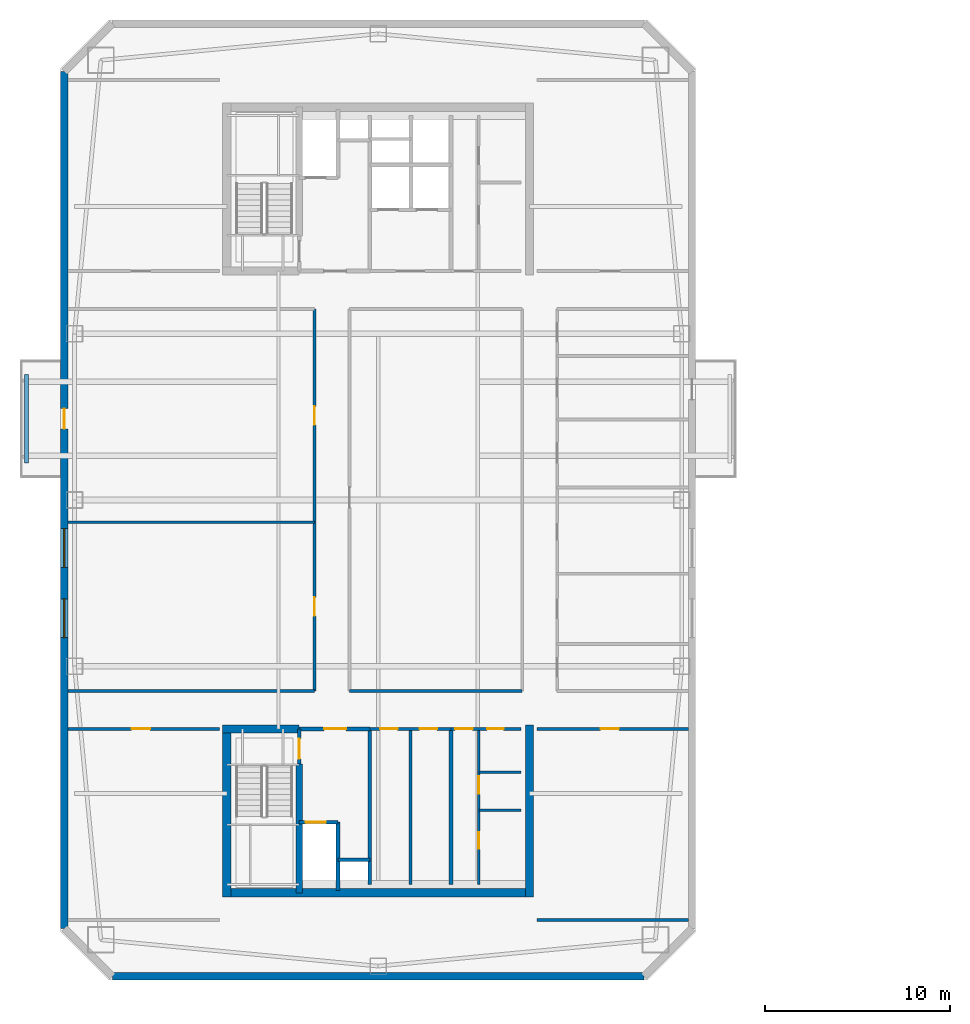
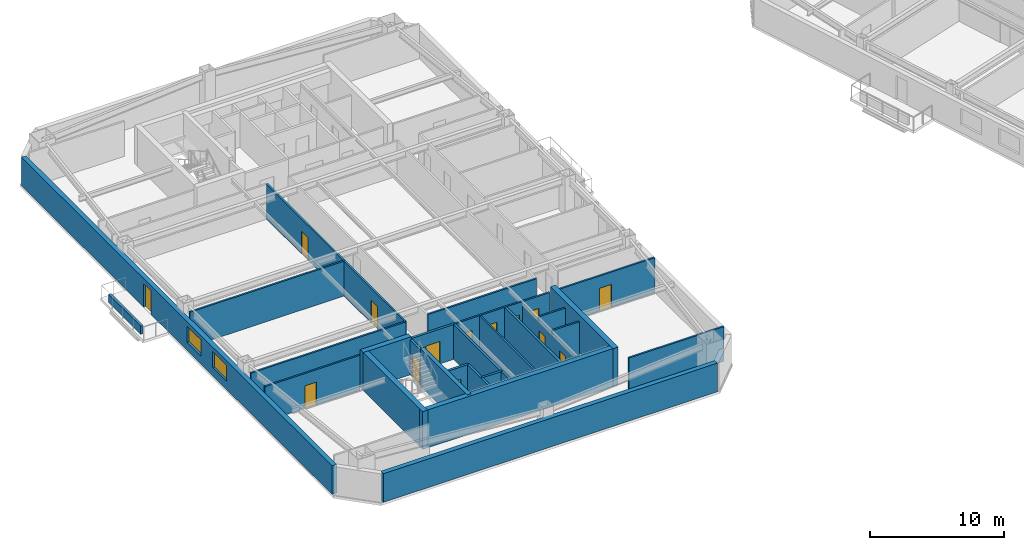
# One storey, part 6 of 16: 28 walls, 14 doors, 2 windows, 16 openings.
"""IFC4 building model written with IfcOpenShell, lengths in metres."""

from ifc_helpers import new_model, si_unit, direction, frame, frame_2d, origin, place, context, subcontext, project, spatial, rectangle, extrude, material, layer, layer_set, type_object, element, fill, save


model = new_model("IFC4")

# Units and contexts
model_context = context("Model", 3, precision=1e-05, world=origin(), true_north=direction((0.0, 1.0)))
body_context = subcontext(model_context, "Body", "Model", "MODEL_VIEW")
ifc_project = project(units=[si_unit("LENGTHUNIT", "METRE"), si_unit("AREAUNIT", "SQUARE_METRE"), si_unit("VOLUMEUNIT", "CUBIC_METRE"), si_unit("PLANEANGLEUNIT", "RADIAN"), si_unit("MASSUNIT", "GRAM", prefix="KILO")], contexts=[model_context])

# Site, building, storey
site_placement = place(None, origin())
site = spatial("IfcSite", under=ifc_project, at=site_placement, CompositionType="ELEMENT")
building_placement = place(site_placement, origin())
building = spatial("IfcBuilding", under=site, at=building_placement, Name="Qiaolan Cultural Towers", CompositionType="ELEMENT")
storey_placement = place(building_placement, frame((0.0, 0.0, 198.949951171875)))
storey = spatial("IfcBuildingStorey", under=building, at=storey_placement, Name="L53", CompositionType="ELEMENT", Elevation=198.949951171875)

# Walls
ifc_material_1 = material(Name="Concrete C50", Category="concrete")
ifc_layer_1 = layer(ifc_material_1, 0.35009765625)
ifc_layer_set_1 = layer_set([ifc_layer_1], Name="Concrete C50")
wall_type_1 = type_object("IfcWallType", Name="WL-CORE-350", PredefinedType="SHEAR", material=ifc_layer_set_1)
wall_1_placement = place(storey_placement, frame((25.719970703125, 19.699951171875, 0.0), z_axis=(0.0, 0.0, 1.0), x_axis=(0.0, -1.0, 0.0)))
element("IfcWall", 1, at=wall_1_placement, inside=storey, type_object=wall_type_1, Name="L53 T1-CS Stair Core Dividing Web", PredefinedType="SHEAR", context=body_context, shape_type="SweptSolid", body=[
    extrude(rectangle(XDim=6.97998046875, YDim=0.35009765625, at=frame_2d((3.489990234375, 0.0))), origin(), (0.0, 0.0, 1.0), 3.449951171875),
])
ifc_material_2 = material(Name="Concrete C50", Category="concrete")
ifc_layer_2 = layer(ifc_material_2, 0.449951171875)
ifc_layer_set_2 = layer_set([ifc_layer_2], Name="Concrete C50")
wall_type_2 = type_object("IfcWallType", Name="WL-CORE-450", PredefinedType="SHEAR", material=ifc_layer_set_2)
wall_2_placement = place(storey_placement, frame((21.574951171875, 12.719970703125, 0.0), z_axis=(0.0, 0.0, 1.0), x_axis=(1.0, 0.0, 0.0)))
element("IfcWall", 2, at=wall_2_placement, inside=storey, type_object=wall_type_2, Name="L53 T1-CS Outer Core Shear Wall", PredefinedType="SHEAR", context=body_context, shape_type="SweptSolid", body=[
    extrude(rectangle(XDim=16.85009765625, YDim=0.449951171875, at=frame_2d((8.425048828125, 0.0))), origin(), (0.0, 0.0, 1.0), 3.449951171875),
])
for number, where, z_axis, x_axis, name in (
    (3, (21.800048828125, 21.824951171875, 0.0), (0.0, 0.0, 1.0), (0.0, -1.0, 0.0), "L53 T1-CS West Core Shear Wall"),
    (4, (38.199951171875, 21.824951171875, 0.0), (0.0, 0.0, 1.0), (0.0, -1.0, 0.0), "L53 T1-CS East Core Shear Wall"),
):
    element("IfcWall", number, at=place(storey_placement, frame(where, z_axis=z_axis, x_axis=x_axis)), inside=storey, type_object=wall_type_2, Name=name, PredefinedType="SHEAR", context=body_context, shape_type="SweptSolid", body=[
        extrude(rectangle(XDim=9.329833984375, YDim=0.449951171875, at=frame_2d((4.6650390625, 0.0))), origin(), (0.0, 0.0, 1.0), 3.449951171875),
    ])
wall_3_placement = place(storey_placement, frame((21.574951171875, 21.60009765625, 0.0), z_axis=(0.0, 0.0, 1.0), x_axis=(1.0, 0.0, 0.0)))
element("IfcWall", 5, at=wall_3_placement, inside=storey, type_object=wall_type_2, Name="L53 T1-CS Stair Front Shear Wall", PredefinedType="SHEAR", context=body_context, shape_type="SweptSolid", body=[
    extrude(rectangle(XDim=4.14501953125, YDim=0.449951171875, at=frame_2d((2.072509765625, 0.0))), origin(), (0.0, 0.0, 1.0), 3.449951171875),
])

# Wall, openings, door, windows
ifc_material_3 = material(Name="Precast Concrete C50 Honed Stone Pier", Category="masonry")
ifc_layer_3 = layer(ifc_material_3, 0.39990234375)
ifc_layer_set_3 = layer_set([ifc_layer_3], Name="Precast Concrete C50 Honed Stone Pier")
wall_type_3 = type_object("IfcWallType", Name="WL-EXT-PIER-400", PredefinedType="SOLIDWALL", material=ifc_layer_set_3)
wall_4_placement = place(storey_placement, frame((13.0, 10.800048828125, 0.0), z_axis=(0.0, 0.0, 1.0), x_axis=(0.0, 1.0, 0.0)))
wall_4 = element("IfcWall", 6, at=wall_4_placement, inside=storey, type_object=wall_type_3, Name="L53 West Tower Precast Pier Facade Wall F1", PredefinedType="SOLIDWALL", context=body_context, shape_type="SweptSolid", body=[
    extrude(rectangle(XDim=46.39990234375, YDim=0.39990234375, at=frame_2d((23.199951171875, 0.0))), origin(), (0.0, 0.0, 1.0), 2.610107421875),
])
opening_1_placement = place(wall_4_placement, frame((15.75, 0.0, 0.75)))
opening_1 = element("IfcOpeningElement", 7, at=opening_1_placement, cuts=wall_4, Name="Opening W-05", PredefinedType="OPENING", context=body_context, shape_type="SweptSolid", body=[
    extrude(rectangle(XDim=2.10009765625, YDim=1.4599609375, at=frame_2d((1.050048828125, 0.72998046875))), frame((0.0, 0.2099609375, 0.0), z_axis=(0.0, -1.0, 0.0), x_axis=(1.0, 0.0, 0.0)), (0.0, 0.0, 1.0), 0.419921875),
])
opening_2_placement = place(wall_4_placement, frame((19.550048828125, 0.0, 0.75)))
opening_2 = element("IfcOpeningElement", 8, at=opening_2_placement, cuts=wall_4, Name="Opening W-05", PredefinedType="OPENING", context=body_context, shape_type="SweptSolid", body=[
    extrude(rectangle(XDim=2.10009765625, YDim=1.4599609375, at=frame_2d((1.050048828125, 0.72998046875))), frame((0.0, 0.2099609375, 0.0), z_axis=(0.0, -1.0, 0.0), x_axis=(1.0, 0.0, 0.0)), (0.0, 0.0, 1.0), 0.419921875),
])
opening_3_placement = place(wall_4_placement, frame((27.050048828125, 0.0, 0.0)))
opening_3 = element("IfcOpeningElement", 9, at=opening_3_placement, cuts=wall_4, Name="Opening BD-01", PredefinedType="OPENING", context=body_context, shape_type="SweptSolid", body=[
    extrude(rectangle(XDim=1.10009765625, YDim=2.14990234375, at=frame_2d((0.550048828125, 1.074951171875))), frame((0.0, 0.2099609375, 0.0), z_axis=(0.0, -1.0, 0.0), x_axis=(1.0, 0.0, 0.0)), (0.0, 0.0, 1.0), 0.419921875),
])
ifc_material_4 = material(Name="Thermally Broken Aluminium Glazed Terrace Door", Category="aluminium")
door_type_1 = type_object("IfcDoorType", Name="DR-BAL-1100", OperationType="NOTDEFINED", PredefinedType="DOOR", material=ifc_material_4)
door_1_placement = place(opening_3_placement, origin())
door_1 = element("IfcDoor", 10, at=door_1_placement, inside=storey, type_object=door_type_1, Name="L53 T1 West Tree Balcony Door", OperationType="SINGLE_SWING_LEFT", OverallHeight=2.14990234375, OverallWidth=1.10009765625, PredefinedType="DOOR", context=body_context, shape_type="SweptSolid", body=[
    extrude(rectangle(XDim=1.10009765625, YDim=2.14990234375, at=frame_2d((0.550048828125, 1.074951171875))), frame((0.0, 0.02490234375, 0.0), z_axis=(0.0, -1.0, 0.0), x_axis=(1.0, 0.0, 0.0)), (0.0, 0.0, 1.0), 0.050048828125),
])
fill(opening_3, door_1)
ifc_material_5 = material(Name="Thermally Broken Aluminium Triple Low-E Glazing", Category="aluminium")
window_type = type_object("IfcWindowType", Name="WN-CHIC-2100", PartitioningType="SINGLE_PANEL", PredefinedType="WINDOW", material=ifc_material_5)
window_1_placement = place(opening_1_placement, origin())
window_1 = element("IfcWindow", 11, at=window_1_placement, inside=storey, type_object=window_type, Name="L53 T1 W Chicago Bay Window 1", OverallHeight=1.4599609375, OverallWidth=2.10009765625, PartitioningType="TRIPLE_PANEL_VERTICAL", PredefinedType="WINDOW", context=body_context, shape_type="SweptSolid", body=[
    extrude(rectangle(XDim=2.10009765625, YDim=1.4599609375, at=frame_2d((1.050048828125, 0.72998046875))), frame((0.0, 0.030029296875, 0.0), z_axis=(0.0, -1.0, 0.0), x_axis=(1.0, 0.0, 0.0)), (0.0, 0.0, 1.0), 0.06005859375),
])
fill(opening_1, window_1)
window_2_placement = place(opening_2_placement, origin())
window_2 = element("IfcWindow", 12, at=window_2_placement, inside=storey, type_object=window_type, Name="L53 T1 W Chicago Bay Window 2", OverallHeight=1.4599609375, OverallWidth=2.10009765625, PartitioningType="TRIPLE_PANEL_VERTICAL", PredefinedType="WINDOW", context=body_context, shape_type="SweptSolid", body=[
    extrude(rectangle(XDim=2.10009765625, YDim=1.4599609375, at=frame_2d((1.050048828125, 0.72998046875))), frame((0.0, 0.030029296875, 0.0), z_axis=(0.0, -1.0, 0.0), x_axis=(1.0, 0.0, 0.0)), (0.0, 0.0, 1.0), 0.06005859375),
])
fill(opening_2, window_2)

# Wall
wall_5_placement = place(storey_placement, frame((44.39990234375, 8.199951171875, 0.0), z_axis=(0.0, 0.0, 1.0), x_axis=(-1.0, 0.0, 0.0)))
element("IfcWall", 13, at=wall_5_placement, inside=storey, type_object=wall_type_3, Name="L53 West Tower Precast Pier Facade Wall F7", PredefinedType="SOLIDWALL", context=body_context, shape_type="SweptSolid", body=[
    extrude(rectangle(XDim=28.7998046875, YDim=0.39990234375, at=frame_2d((14.39990234375, 0.0))), origin(), (0.0, 0.0, 1.0), 2.610107421875),
])

# Wall, opening, door
ifc_material_6 = material(Name="Concrete C35 Fire Wall", Category="concrete")
ifc_layer_4 = layer(ifc_material_6, 0.199951171875)
ifc_layer_set_4 = layer_set([ifc_layer_4], Name="Concrete C35 Fire Wall")
wall_type_4 = type_object("IfcWallType", Name="WL-FIRE-200", PredefinedType="PARTITIONING", material=ifc_layer_set_4)
wall_6_placement = place(storey_placement, frame((25.719970703125, 21.60009765625, 0.0), z_axis=(0.0, 0.0, 1.0), x_axis=(0.0, -1.0, 0.0)))
wall_6 = element("IfcWall", 14, at=wall_6_placement, inside=storey, type_object=wall_type_4, Name="L53 T1-CS Smokeproof Stair Entry Wall", PredefinedType="PARTITIONING", context=body_context, shape_type="SweptSolid", body=[
    extrude(rectangle(XDim=1.900146484375, YDim=0.199951171875, at=frame_2d((0.9501953125, 0.0))), origin(), (0.0, 0.0, 1.0), 3.175048828125),
])
opening_4_placement = place(wall_6_placement, frame((0.52001953125, 0.0, 0.0)))
opening_4 = element("IfcOpeningElement", 15, at=opening_4_placement, cuts=wall_6, Name="Opening FD-04", PredefinedType="OPENING", context=body_context, shape_type="SweptSolid", body=[
    extrude(rectangle(XDim=1.10009765625, YDim=2.050048828125, at=frame_2d((0.550048828125, 1.02490234375))), frame((0.0, 0.10986328125, 0.0), z_axis=(0.0, -1.0, 0.0), x_axis=(1.0, 0.0, 0.0)), (0.0, 0.0, 1.0), 0.219970703125),
])
ifc_material_7 = material(Name="Galvanized Steel Command Fire Door", Category="steel")
door_type_2 = type_object("IfcDoorType", Name="DR-FD90-1100", OperationType="NOTDEFINED", PredefinedType="DOOR", material=ifc_material_7)
door_2_placement = place(opening_4_placement, origin())
door_2 = element("IfcDoor", 16, at=door_2_placement, inside=storey, type_object=door_type_2, Name="L53 ST-W1 Smokeproof Stair Fire Door", OperationType="SINGLE_SWING_LEFT", OverallHeight=2.050048828125, OverallWidth=1.10009765625, PredefinedType="DOOR", context=body_context, shape_type="SweptSolid", body=[
    extrude(rectangle(XDim=1.10009765625, YDim=2.050048828125, at=frame_2d((0.550048828125, 1.02490234375))), frame((0.0, 0.02490234375, 0.0), z_axis=(0.0, -1.0, 0.0), x_axis=(1.0, 0.0, 0.0)), (0.0, 0.0, 1.0), 0.050048828125),
])
fill(opening_4, door_2)

# Wall
wall_7_placement = place(storey_placement, frame((29.550048828125, 21.60009765625, 0.0), z_axis=(0.0, 0.0, 1.0), x_axis=(0.0, -1.0, 0.0)))
element("IfcWall", 17, at=wall_7_placement, inside=storey, type_object=wall_type_4, Name="L53 T1-CS Firefighting Zone Wall", PredefinedType="PARTITIONING", context=body_context, shape_type="SweptSolid", body=[
    extrude(rectangle(XDim=8.43017578125, YDim=0.199951171875, at=frame_2d((4.215087890625, 0.0))), origin(), (0.0, 0.0, 1.0), 3.175048828125),
])

# Wall, opening, door
wall_8_placement = place(storey_placement, frame((25.719970703125, 21.60009765625, 0.0), z_axis=(0.0, 0.0, 1.0), x_axis=(1.0, 0.0, 0.0)))
wall_8 = element("IfcWall", 18, at=wall_8_placement, inside=storey, type_object=wall_type_4, Name="L53 T1-CS Firefighting Lobby Front Wall", PredefinedType="PARTITIONING", context=body_context, shape_type="SweptSolid", body=[
    extrude(rectangle(XDim=3.830078125, YDim=0.199951171875, at=frame_2d((1.9150390625, 0.0))), origin(), (0.0, 0.0, 1.0), 3.175048828125),
])
opening_5_placement = place(wall_8_placement, frame((1.35009765625, 0.0, 0.0)))
opening_5 = element("IfcOpeningElement", 19, at=opening_5_placement, cuts=wall_8, Name="Opening FD-03", PredefinedType="OPENING", context=body_context, shape_type="SweptSolid", body=[
    extrude(rectangle(XDim=1.199951171875, YDim=2.050048828125, at=frame_2d((0.60009765625, 1.02490234375))), frame((0.0, 0.10986328125, 0.0), z_axis=(0.0, -1.0, 0.0), x_axis=(1.0, 0.0, 0.0)), (0.0, 0.0, 1.0), 0.219970703125),
])
ifc_material_8 = material(Name="Galvanized Steel Smokeproof Lobby Fire Door", Category="steel")
door_type_3 = type_object("IfcDoorType", Name="DR-FD90-1200", OperationType="NOTDEFINED", PredefinedType="DOOR", material=ifc_material_8)
door_3_placement = place(opening_5_placement, origin())
door_3 = element("IfcDoor", 20, at=door_3_placement, inside=storey, type_object=door_type_3, Name="L53 FFL-W1 Firefighting Lobby Fire Door", OperationType="SINGLE_SWING_LEFT", OverallHeight=2.050048828125, OverallWidth=1.199951171875, PredefinedType="DOOR", context=body_context, shape_type="SweptSolid", body=[
    extrude(rectangle(XDim=1.199951171875, YDim=2.050048828125, at=frame_2d((0.60009765625, 1.02490234375))), frame((0.0, 0.02490234375, 0.0), z_axis=(0.0, -1.0, 0.0), x_axis=(1.0, 0.0, 0.0)), (0.0, 0.0, 1.0), 0.050048828125),
])
fill(opening_5, door_3)

wall_9_placement = place(storey_placement, frame((25.719970703125, 16.550048828125, 0.0), z_axis=(0.0, 0.0, 1.0), x_axis=(1.0, 0.0, 0.0)))
wall_9 = element("IfcWall", 21, at=wall_9_placement, inside=storey, type_object=wall_type_4, Name="L53 T1-CS Firefighting Shaft Front Wall", PredefinedType="PARTITIONING", context=body_context, shape_type="SweptSolid", body=[
    extrude(rectangle(XDim=2.10009765625, YDim=0.199951171875, at=frame_2d((1.050048828125, 0.0))), origin(), (0.0, 0.0, 1.0), 3.175048828125),
])
opening_6_placement = place(wall_9_placement, frame((0.35009765625, 0.0, 0.0)))
opening_6 = element("IfcOpeningElement", 22, at=opening_6_placement, cuts=wall_9, Name="Opening LD-01", PredefinedType="OPENING", context=body_context, shape_type="SweptSolid", body=[
    extrude(rectangle(XDim=1.10009765625, YDim=2.050048828125, at=frame_2d((0.550048828125, 1.02490234375))), frame((0.0, 0.10986328125, 0.0), z_axis=(0.0, -1.0, 0.0), x_axis=(1.0, 0.0, 0.0)), (0.0, 0.0, 1.0), 0.219970703125),
])
ifc_material_9 = material(Name="Brushed Stainless Steel S30408 Centre-Parting Lift Landing Door", Category="steel")
door_type_4 = type_object("IfcDoorType", Name="DR-LIFT-1100", OperationType="NOTDEFINED", PredefinedType="DOOR", material=ifc_material_9)
door_4_placement = place(opening_6_placement, origin())
door_4 = element("IfcDoor", 23, at=door_4_placement, inside=storey, type_object=door_type_4, Name="L53 FFL-W1 Firefighting Lift Landing Door", OperationType="DOUBLE_DOOR_SLIDING", OverallHeight=2.050048828125, OverallWidth=1.10009765625, PredefinedType="DOOR", context=body_context, shape_type="SweptSolid", body=[
    extrude(rectangle(XDim=1.10009765625, YDim=2.050048828125, at=frame_2d((0.550048828125, 1.02490234375))), frame((0.0, 0.02490234375, 0.0), z_axis=(0.0, -1.0, 0.0), x_axis=(1.0, 0.0, 0.0)), (0.0, 0.0, 1.0), 0.050048828125),
])
fill(opening_6, door_4)

# Walls
wall_10_placement = place(storey_placement, frame((27.820068359375, 16.550048828125, 0.0), z_axis=(0.0, 0.0, 1.0), x_axis=(0.0, -1.0, 0.0)))
element("IfcWall", 24, at=wall_10_placement, inside=storey, type_object=wall_type_4, Name="L53 T1-CS Firefighting Hoistway East Wall", PredefinedType="PARTITIONING", context=body_context, shape_type="SweptSolid", body=[
    extrude(rectangle(XDim=3.699951171875, YDim=0.199951171875, at=frame_2d((1.85009765625, 0.0))), origin(), (0.0, 0.0, 1.0), 3.175048828125),
])
wall_11_placement = place(storey_placement, frame((27.820068359375, 14.52001953125, 0.0), z_axis=(0.0, 0.0, 1.0), x_axis=(1.0, 0.0, 0.0)))
element("IfcWall", 25, at=wall_11_placement, inside=storey, type_object=wall_type_4, Name="L53 T1-CS Pressurization Shaft Front Wall", PredefinedType="PARTITIONING", context=body_context, shape_type="SweptSolid", body=[
    extrude(rectangle(XDim=1.72998046875, YDim=0.199951171875, at=frame_2d((0.864990234375, 0.0))), origin(), (0.0, 0.0, 1.0), 3.175048828125),
])
wall_12_placement = place(storey_placement, frame((33.949951171875, 21.60009765625, 0.0), z_axis=(0.0, 0.0, 1.0), x_axis=(0.0, -1.0, 0.0)))
element("IfcWall", 26, at=wall_12_placement, inside=storey, type_object=wall_type_4, Name="L53 T1-CS Lift Core East Wall", PredefinedType="PARTITIONING", context=body_context, shape_type="SweptSolid", body=[
    extrude(rectangle(XDim=8.43017578125, YDim=0.199951171875, at=frame_2d((4.215087890625, 0.0))), origin(), (0.0, 0.0, 1.0), 3.175048828125),
])

# Wall, openings, doors
ifc_material_10 = material(Name="Autoclaved Aerated Concrete Block B06", Category="concrete")
ifc_layer_5 = layer(ifc_material_10, 0.14990234375)
ifc_layer_set_5 = layer_set([ifc_layer_5], Name="Autoclaved Aerated Concrete Block B06")
wall_type_5 = type_object("IfcWallType", Name="WL-PART-150", PredefinedType="PARTITIONING", material=ifc_layer_set_5)
wall_13_placement = place(storey_placement, frame((29.550048828125, 21.60009765625, 0.0), z_axis=(0.0, 0.0, 1.0), x_axis=(1.0, 0.0, 0.0)))
wall_13 = element("IfcWall", 27, at=wall_13_placement, inside=storey, type_object=wall_type_5, Name="L53 T1-CS Reclaimed Core Room Front Wall", PredefinedType="PARTITIONING", context=body_context, shape_type="SweptSolid", body=[
    extrude(rectangle(XDim=4.39990234375, YDim=0.14990234375, at=frame_2d((2.199951171875, 0.0))), origin(), (0.0, 0.0, 1.0), 3.175048828125),
])
opening_7_placement = place(wall_13_placement, frame((0.550048828125, 0.0, 0.0)))
opening_7 = element("IfcOpeningElement", 28, at=opening_7_placement, cuts=wall_13, Name="Opening ID-05", PredefinedType="OPENING", context=body_context, shape_type="SweptSolid", body=[
    extrude(rectangle(XDim=0.949951171875, YDim=2.050048828125, at=frame_2d((0.47509765625, 1.02490234375))), frame((0.0, 0.0849609375, 0.0), z_axis=(0.0, -1.0, 0.0), x_axis=(1.0, 0.0, 0.0)), (0.0, 0.0, 1.0), 0.169921875),
])
opening_8_placement = place(wall_13_placement, frame((2.699951171875, 0.0, 0.0)))
opening_8 = element("IfcOpeningElement", 29, at=opening_8_placement, cuts=wall_13, Name="Opening ID-05", PredefinedType="OPENING", context=body_context, shape_type="SweptSolid", body=[
    extrude(rectangle(XDim=0.949951171875, YDim=2.050048828125, at=frame_2d((0.47509765625, 1.02490234375))), frame((0.0, 0.0849609375, 0.0), z_axis=(0.0, -1.0, 0.0), x_axis=(1.0, 0.0, 0.0)), (0.0, 0.0, 1.0), 0.169921875),
])
ifc_material_11 = material(Name="Fire-Rated Laminate Accessible Core Door", Category="timber")
door_type_5 = type_object("IfcDoorType", Name="DR-INT-950", OperationType="NOTDEFINED", PredefinedType="DOOR", material=ifc_material_11)
door_5_placement = place(opening_7_placement, origin())
door_5 = element("IfcDoor", 30, at=door_5_placement, inside=storey, type_object=door_type_5, Name="L53 Copy Print Room Door", OperationType="SINGLE_SWING_LEFT", OverallHeight=2.050048828125, OverallWidth=0.949951171875, PredefinedType="DOOR", context=body_context, shape_type="SweptSolid", body=[
    extrude(rectangle(XDim=0.949951171875, YDim=2.050048828125, at=frame_2d((0.47509765625, 1.02490234375))), frame((0.0, 0.02490234375, 0.0), z_axis=(0.0, -1.0, 0.0), x_axis=(1.0, 0.0, 0.0)), (0.0, 0.0, 1.0), 0.050048828125),
])
fill(opening_7, door_5)
door_6_placement = place(opening_8_placement, origin())
door_6 = element("IfcDoor", 31, at=door_6_placement, inside=storey, type_object=door_type_5, Name="L53 Tea Pantry Room Door", OperationType="SINGLE_SWING_RIGHT", OverallHeight=2.050048828125, OverallWidth=0.949951171875, PredefinedType="DOOR", context=body_context, shape_type="SweptSolid", body=[
    extrude(rectangle(XDim=0.949951171875, YDim=2.050048828125, at=frame_2d((0.47509765625, 1.02490234375))), frame((0.0, 0.02490234375, 0.0), z_axis=(0.0, -1.0, 0.0), x_axis=(1.0, 0.0, 0.0)), (0.0, 0.0, 1.0), 0.050048828125),
])
fill(opening_8, door_6)

# Wall
wall_14_placement = place(storey_placement, frame((31.75, 21.60009765625, 0.0), z_axis=(0.0, 0.0, 1.0), x_axis=(0.0, -1.0, 0.0)))
element("IfcWall", 32, at=wall_14_placement, inside=storey, type_object=wall_type_5, Name="L53 T1-CS Reclaimed Twin Room Wall", PredefinedType="PARTITIONING", context=body_context, shape_type="SweptSolid", body=[
    extrude(rectangle(XDim=8.43017578125, YDim=0.14990234375, at=frame_2d((4.215087890625, 0.0))), origin(), (0.0, 0.0, 1.0), 3.175048828125),
])

# Wall, openings, doors
wall_15_placement = place(storey_placement, frame((33.949951171875, 21.60009765625, 0.0), z_axis=(0.0, 0.0, 1.0), x_axis=(1.0, 0.0, 0.0)))
wall_15 = element("IfcWall", 33, at=wall_15_placement, inside=storey, type_object=wall_type_5, Name="L53 T1-CS Sanitary Core Front Wall", PredefinedType="PARTITIONING", context=body_context, shape_type="SweptSolid", body=[
    extrude(rectangle(XDim=3.800048828125, YDim=0.14990234375, at=frame_2d((1.89990234375, 0.0))), origin(), (0.0, 0.0, 1.0), 3.175048828125),
])
opening_9_placement = place(wall_15_placement, frame((0.219970703125, 0.0, 0.0)))
opening_9 = element("IfcOpeningElement", 34, at=opening_9_placement, cuts=wall_15, Name="Opening ID-05", PredefinedType="OPENING", context=body_context, shape_type="SweptSolid", body=[
    extrude(rectangle(XDim=0.949951171875, YDim=2.050048828125, at=frame_2d((0.47509765625, 1.02490234375))), frame((0.0, 0.0849609375, 0.0), z_axis=(0.0, -1.0, 0.0), x_axis=(1.0, 0.0, 0.0)), (0.0, 0.0, 1.0), 0.169921875),
])
opening_10_placement = place(wall_15_placement, frame((1.949951171875, 0.0, 0.0)))
opening_10 = element("IfcOpeningElement", 35, at=opening_10_placement, cuts=wall_15, Name="Opening ID-06", PredefinedType="OPENING", context=body_context, shape_type="SweptSolid", body=[
    extrude(rectangle(XDim=0.89990234375, YDim=2.050048828125, at=frame_2d((0.449951171875, 1.02490234375))), frame((0.0, 0.0849609375, 0.0), z_axis=(0.0, -1.0, 0.0), x_axis=(1.0, 0.0, 0.0)), (0.0, 0.0, 1.0), 0.169921875),
])
ifc_material_12 = material(Name="Fire-Rated Laminate Core Service Door", Category="timber")
door_type_6 = type_object("IfcDoorType", Name="DR-INT-900", OperationType="NOTDEFINED", PredefinedType="DOOR", material=ifc_material_12)
door_7_placement = place(opening_10_placement, origin())
door_7 = element("IfcDoor", 36, at=door_7_placement, inside=storey, type_object=door_type_6, Name="L53 Core Tea Pantry Door", OperationType="SINGLE_SWING_RIGHT", OverallHeight=2.050048828125, OverallWidth=0.89990234375, PredefinedType="DOOR", context=body_context, shape_type="SweptSolid", body=[
    extrude(rectangle(XDim=0.89990234375, YDim=2.050048828125, at=frame_2d((0.449951171875, 1.02490234375))), frame((0.0, 0.02490234375, 0.0), z_axis=(0.0, -1.0, 0.0), x_axis=(1.0, 0.0, 0.0)), (0.0, 0.0, 1.0), 0.050048828125),
])
fill(opening_10, door_7)
door_8_placement = place(opening_9_placement, origin())
door_8 = element("IfcDoor", 37, at=door_8_placement, inside=storey, type_object=door_type_5, Name="L53 Sanitary Passage Door", OperationType="SINGLE_SWING_LEFT", OverallHeight=2.050048828125, OverallWidth=0.949951171875, PredefinedType="DOOR", context=body_context, shape_type="SweptSolid", body=[
    extrude(rectangle(XDim=0.949951171875, YDim=2.050048828125, at=frame_2d((0.47509765625, 1.02490234375))), frame((0.0, 0.02490234375, 0.0), z_axis=(0.0, -1.0, 0.0), x_axis=(1.0, 0.0, 0.0)), (0.0, 0.0, 1.0), 0.050048828125),
])
fill(opening_9, door_8)

wall_16_placement = place(storey_placement, frame((35.449951171875, 21.60009765625, 0.0), z_axis=(0.0, 0.0, 1.0), x_axis=(0.0, -1.0, 0.0)))
wall_16 = element("IfcWall", 38, at=wall_16_placement, inside=storey, type_object=wall_type_5, Name="L53 T1-CS Sanitary Corridor Wall", PredefinedType="PARTITIONING", context=body_context, shape_type="SweptSolid", body=[
    extrude(rectangle(XDim=8.43017578125, YDim=0.14990234375, at=frame_2d((4.215087890625, 0.0))), origin(), (0.0, 0.0, 1.0), 2.81494140625),
])
opening_11_placement = place(wall_16_placement, frame((2.550048828125, 0.0, 0.0)))
opening_11 = element("IfcOpeningElement", 39, at=opening_11_placement, cuts=wall_16, Name="Opening ID-05", PredefinedType="OPENING", context=body_context, shape_type="SweptSolid", body=[
    extrude(rectangle(XDim=0.949951171875, YDim=2.050048828125, at=frame_2d((0.47509765625, 1.02490234375))), frame((0.0, 0.0849609375, 0.0), z_axis=(0.0, -1.0, 0.0), x_axis=(1.0, 0.0, 0.0)), (0.0, 0.0, 1.0), 0.169921875),
])
opening_12_placement = place(wall_16_placement, frame((5.60009765625, 0.0, 0.0)))
opening_12 = element("IfcOpeningElement", 40, at=opening_12_placement, cuts=wall_16, Name="Opening ID-06", PredefinedType="OPENING", context=body_context, shape_type="SweptSolid", body=[
    extrude(rectangle(XDim=0.89990234375, YDim=2.050048828125, at=frame_2d((0.449951171875, 1.02490234375))), frame((0.0, 0.0849609375, 0.0), z_axis=(0.0, -1.0, 0.0), x_axis=(1.0, 0.0, 0.0)), (0.0, 0.0, 1.0), 0.169921875),
])
door_9_placement = place(opening_12_placement, origin())
door_9 = element("IfcDoor", 41, at=door_9_placement, inside=storey, type_object=door_type_6, Name="L53 Staff Restroom Door", OperationType="SINGLE_SWING_RIGHT", OverallHeight=2.050048828125, OverallWidth=0.89990234375, PredefinedType="DOOR", context=body_context, shape_type="SweptSolid", body=[
    extrude(rectangle(XDim=0.89990234375, YDim=2.050048828125, at=frame_2d((0.449951171875, 1.02490234375))), frame((0.0, 0.02490234375, 0.0), z_axis=(0.0, -1.0, 0.0), x_axis=(1.0, 0.0, 0.0)), (0.0, 0.0, 1.0), 0.050048828125),
])
fill(opening_12, door_9)
door_10_placement = place(opening_11_placement, origin())
door_10 = element("IfcDoor", 42, at=door_10_placement, inside=storey, type_object=door_type_5, Name="L53 Accessible Washroom Door", OperationType="SINGLE_SWING_LEFT", OverallHeight=2.050048828125, OverallWidth=0.949951171875, PredefinedType="DOOR", context=body_context, shape_type="SweptSolid", body=[
    extrude(rectangle(XDim=0.949951171875, YDim=2.050048828125, at=frame_2d((0.47509765625, 1.02490234375))), frame((0.0, 0.02490234375, 0.0), z_axis=(0.0, -1.0, 0.0), x_axis=(1.0, 0.0, 0.0)), (0.0, 0.0, 1.0), 0.050048828125),
])
fill(opening_11, door_10)

# Walls
for number, where, z_axis, x_axis, name in (
    (43, (35.449951171875, 17.199951171875, 0.0), (0.0, 0.0, 1.0), (1.0, 0.0, 0.0), "L53 T1-CS Restroom Split Wall"),
    (44, (35.449951171875, 19.25, 0.0), (0.0, 0.0, 1.0), (1.0, 0.0, 0.0), "L53 T1-CS Core Pantry Wall"),
):
    element("IfcWall", number, at=place(storey_placement, frame(where, z_axis=z_axis, x_axis=x_axis)), inside=storey, type_object=wall_type_5, Name=name, PredefinedType="PARTITIONING", context=body_context, shape_type="SweptSolid", body=[
        extrude(rectangle(XDim=2.300048828125, YDim=0.14990234375, at=frame_2d((1.14990234375, 0.0))), origin(), (0.0, 0.0, 1.0), 3.175048828125),
    ])

# Wall, opening, door
wall_17_placement = place(storey_placement, frame((13.199951171875, 21.60009765625, 0.0), z_axis=(0.0, 0.0, 1.0), x_axis=(1.0, 0.0, 0.0)))
wall_17 = element("IfcWall", 45, at=wall_17_placement, inside=storey, type_object=wall_type_5, Name="L53 T1 Flank Front FLK-SW", PredefinedType="PARTITIONING", context=body_context, shape_type="SweptSolid", body=[
    extrude(rectangle(XDim=8.199951171875, YDim=0.14990234375, at=frame_2d((4.10009765625, 0.0))), origin(), (0.0, 0.0, 1.0), 3.175048828125),
])
opening_13_placement = place(wall_17_placement, frame((3.444091796875, 0.0, 0.0)))
opening_13 = element("IfcOpeningElement", 46, at=opening_13_placement, cuts=wall_17, Name="Opening ID-04", PredefinedType="OPENING", context=body_context, shape_type="SweptSolid", body=[
    extrude(rectangle(XDim=1.0, YDim=2.050048828125, at=frame_2d((0.5, 1.02490234375))), frame((0.0, 0.0849609375, 0.0), z_axis=(0.0, -1.0, 0.0), x_axis=(1.0, 0.0, 0.0)), (0.0, 0.0, 1.0), 0.169921875),
])
ifc_material_13 = material(Name="Oak Veneer Acoustic Office Door", Category="timber")
door_type_7 = type_object("IfcDoorType", Name="DR-INT-1000", OperationType="NOTDEFINED", PredefinedType="DOOR", material=ifc_material_13)
door_11_placement = place(opening_13_placement, origin())
door_11 = element("IfcDoor", 47, at=door_11_placement, inside=storey, type_object=door_type_7, Name="L53 T1 Corner Studio Door", OperationType="SINGLE_SWING_LEFT", OverallHeight=2.050048828125, OverallWidth=1.0, PredefinedType="DOOR", context=body_context, shape_type="SweptSolid", body=[
    extrude(rectangle(XDim=1.0, YDim=2.050048828125, at=frame_2d((0.5, 1.02490234375))), frame((0.0, 0.02490234375, 0.0), z_axis=(0.0, -1.0, 0.0), x_axis=(1.0, 0.0, 0.0)), (0.0, 0.0, 1.0), 0.050048828125),
])
fill(opening_13, door_11)

# Wall
wall_18_placement = place(storey_placement, frame((38.60009765625, 11.25, 0.0), z_axis=(0.0, 0.0, 1.0), x_axis=(1.0, 0.0, 0.0)))
element("IfcWall", 48, at=wall_18_placement, inside=storey, type_object=wall_type_5, Name="L53 T1 Flank Wall FLK-SE", PredefinedType="PARTITIONING", context=body_context, shape_type="SweptSolid", body=[
    extrude(rectangle(XDim=8.199951171875, YDim=0.14990234375, at=frame_2d((4.10009765625, 0.0))), origin(), (0.0, 0.0, 1.0), 3.175048828125),
])

# Wall, opening, door
wall_19_placement = place(storey_placement, frame((38.60009765625, 21.60009765625, 0.0), z_axis=(0.0, 0.0, 1.0), x_axis=(1.0, 0.0, 0.0)))
wall_19 = element("IfcWall", 49, at=wall_19_placement, inside=storey, type_object=wall_type_5, Name="L53 T1 Flank Front FLK-SE", PredefinedType="PARTITIONING", context=body_context, shape_type="SweptSolid", body=[
    extrude(rectangle(XDim=8.199951171875, YDim=0.14990234375, at=frame_2d((4.10009765625, 0.0))), origin(), (0.0, 0.0, 1.0), 3.175048828125),
])
opening_14_placement = place(wall_19_placement, frame((3.444091796875, 0.0, 0.0)))
opening_14 = element("IfcOpeningElement", 50, at=opening_14_placement, cuts=wall_19, Name="Opening ID-04", PredefinedType="OPENING", context=body_context, shape_type="SweptSolid", body=[
    extrude(rectangle(XDim=1.0, YDim=2.050048828125, at=frame_2d((0.5, 1.02490234375))), frame((0.0, 0.0849609375, 0.0), z_axis=(0.0, -1.0, 0.0), x_axis=(1.0, 0.0, 0.0)), (0.0, 0.0, 1.0), 0.169921875),
])
door_12_placement = place(opening_14_placement, origin())
door_12 = element("IfcDoor", 51, at=door_12_placement, inside=storey, type_object=door_type_7, Name="L53 T1 Corner Studio Door", OperationType="SINGLE_SWING_LEFT", OverallHeight=2.050048828125, OverallWidth=1.0, PredefinedType="DOOR", context=body_context, shape_type="SweptSolid", body=[
    extrude(rectangle(XDim=1.0, YDim=2.050048828125, at=frame_2d((0.5, 1.02490234375))), frame((0.0, 0.02490234375, 0.0), z_axis=(0.0, -1.0, 0.0), x_axis=(1.0, 0.0, 0.0)), (0.0, 0.0, 1.0), 0.050048828125),
])
fill(opening_14, door_12)

# Walls
wall_20_placement = place(storey_placement, frame((13.199951171875, 23.64990234375, 0.0), z_axis=(0.0, 0.0, 1.0), x_axis=(1.0, 0.0, 0.0)))
element("IfcWall", 52, at=wall_20_placement, inside=storey, type_object=wall_type_5, Name="L53 T1 Interior Wall", PredefinedType="PARTITIONING", context=body_context, shape_type="SweptSolid", body=[
    extrude(rectangle(XDim=13.35009765625, YDim=0.14990234375, at=frame_2d((6.675048828125, 0.0))), origin(), (0.0, 0.0, 1.0), 3.175048828125),
])
wall_21_placement = place(storey_placement, frame((28.449951171875, 23.64990234375, 0.0), z_axis=(0.0, 0.0, 1.0), x_axis=(1.0, 0.0, 0.0)))
element("IfcWall", 53, at=wall_21_placement, inside=storey, type_object=wall_type_5, Name="L53 T1 Interior Wall", PredefinedType="PARTITIONING", context=body_context, shape_type="SweptSolid", body=[
    extrude(rectangle(XDim=9.35009765625, YDim=0.14990234375, at=frame_2d((4.675048828125, 0.0))), origin(), (0.0, 0.0, 1.0), 3.175048828125),
])

# Wall, openings, doors
wall_22_placement = place(storey_placement, frame((26.550048828125, 23.64990234375, 0.0), z_axis=(0.0, 0.0, 1.0), x_axis=(0.0, 1.0, 0.0)))
wall_22 = element("IfcWall", 54, at=wall_22_placement, inside=storey, type_object=wall_type_5, Name="L53 T1 Interior Wall", PredefinedType="PARTITIONING", context=body_context, shape_type="SweptSolid", body=[
    extrude(rectangle(XDim=20.7001953125, YDim=0.14990234375, at=frame_2d((10.35009765625, 0.0))), origin(), (0.0, 0.0, 1.0), 3.175048828125),
])
opening_15_placement = place(wall_22_placement, frame((4.074951171875, 0.0, 0.0)))
opening_15 = element("IfcOpeningElement", 55, at=opening_15_placement, cuts=wall_22, Name="Opening ID-04", PredefinedType="OPENING", context=body_context, shape_type="SweptSolid", body=[
    extrude(rectangle(XDim=1.0, YDim=2.050048828125, at=frame_2d((0.5, 1.02490234375))), frame((0.0, 0.0849609375, 0.0), z_axis=(0.0, -1.0, 0.0), x_axis=(1.0, 0.0, 0.0)), (0.0, 0.0, 1.0), 0.169921875),
])
opening_16_placement = place(wall_22_placement, frame((14.425048828125, 0.0, 0.0)))
opening_16 = element("IfcOpeningElement", 56, at=opening_16_placement, cuts=wall_22, Name="Opening ID-04", PredefinedType="OPENING", context=body_context, shape_type="SweptSolid", body=[
    extrude(rectangle(XDim=1.0, YDim=2.050048828125, at=frame_2d((0.5, 1.02490234375))), frame((0.0, 0.0849609375, 0.0), z_axis=(0.0, -1.0, 0.0), x_axis=(1.0, 0.0, 0.0)), (0.0, 0.0, 1.0), 0.169921875),
])
door_13_placement = place(opening_15_placement, origin())
door_13 = element("IfcDoor", 57, at=door_13_placement, inside=storey, type_object=door_type_7, Name="L53 T1 Grand Cultural Forum Hall Door", OperationType="SINGLE_SWING_LEFT", OverallHeight=2.050048828125, OverallWidth=1.0, PredefinedType="DOOR", context=body_context, shape_type="SweptSolid", body=[
    extrude(rectangle(XDim=1.0, YDim=2.050048828125, at=frame_2d((0.5, 1.02490234375))), frame((0.0, 0.02490234375, 0.0), z_axis=(0.0, -1.0, 0.0), x_axis=(1.0, 0.0, 0.0)), (0.0, 0.0, 1.0), 0.050048828125),
])
fill(opening_15, door_13)
door_14_placement = place(opening_16_placement, origin())
door_14 = element("IfcDoor", 58, at=door_14_placement, inside=storey, type_object=door_type_7, Name="L53 T1 Forum Green Lounge Door", OperationType="SINGLE_SWING_RIGHT", OverallHeight=2.050048828125, OverallWidth=1.0, PredefinedType="DOOR", context=body_context, shape_type="SweptSolid", body=[
    extrude(rectangle(XDim=1.0, YDim=2.050048828125, at=frame_2d((0.5, 1.02490234375))), frame((0.0, 0.02490234375, 0.0), z_axis=(0.0, -1.0, 0.0), x_axis=(1.0, 0.0, 0.0)), (0.0, 0.0, 1.0), 0.050048828125),
])
fill(opening_16, door_14)

# Walls
wall_23_placement = place(storey_placement, frame((13.199951171875, 32.800048828125, 0.0), z_axis=(0.0, 0.0, 1.0), x_axis=(1.0, 0.0, 0.0)))
element("IfcWall", 59, at=wall_23_placement, inside=storey, type_object=wall_type_5, Name="L53 T1 Interior Wall", PredefinedType="PARTITIONING", context=body_context, shape_type="SweptSolid", body=[
    extrude(rectangle(XDim=13.35009765625, YDim=0.14990234375, at=frame_2d((6.675048828125, 0.0))), origin(), (0.0, 0.0, 1.0), 3.175048828125),
])
ifc_material_14 = material(Name="Precast Concrete C45 Tree Planter Upstand", Category="concrete")
ifc_layer_6 = layer(ifc_material_14, 0.199951171875)
ifc_layer_set_6 = layer_set([ifc_layer_6], Name="Precast Concrete C45 Tree Planter Upstand")
wall_type_6 = type_object("IfcWallType", Name="WL-PLANTER-200", PredefinedType="PARAPET", material=ifc_layer_set_6)
wall_24_placement = place(storey_placement, frame((10.949951171875, 36.0, 0.0), z_axis=(0.0, 0.0, 1.0), x_axis=(0.0, 1.0, 0.0)))
element("IfcWall", 60, at=wall_24_placement, inside=storey, type_object=wall_type_6, Name="L53 T1 Tree Balcony Soil Planter Box W", PredefinedType="PARAPET", context=body_context, shape_type="SweptSolid", body=[
    extrude(rectangle(XDim=4.800048828125, YDim=0.199951171875, at=frame_2d((2.39990234375, 0.0))), origin(), (0.0, 0.0, 1.0), 0.75),
])

save(model, "model.ifc")
